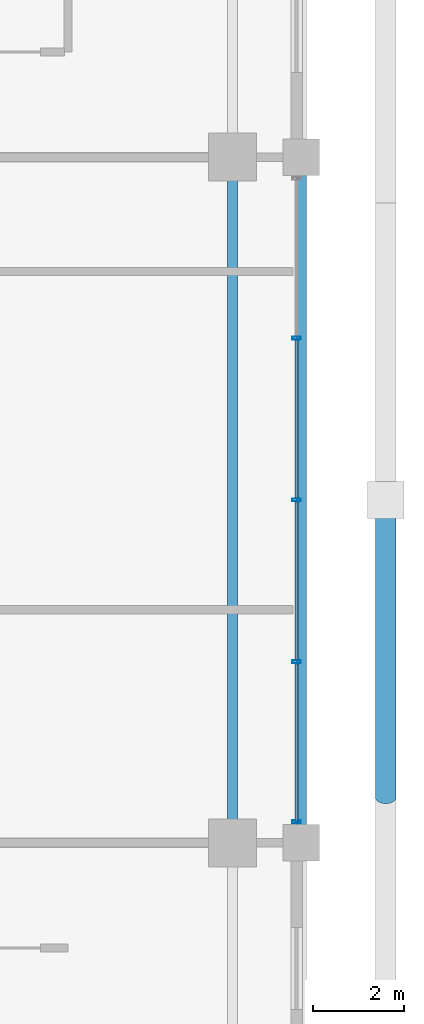
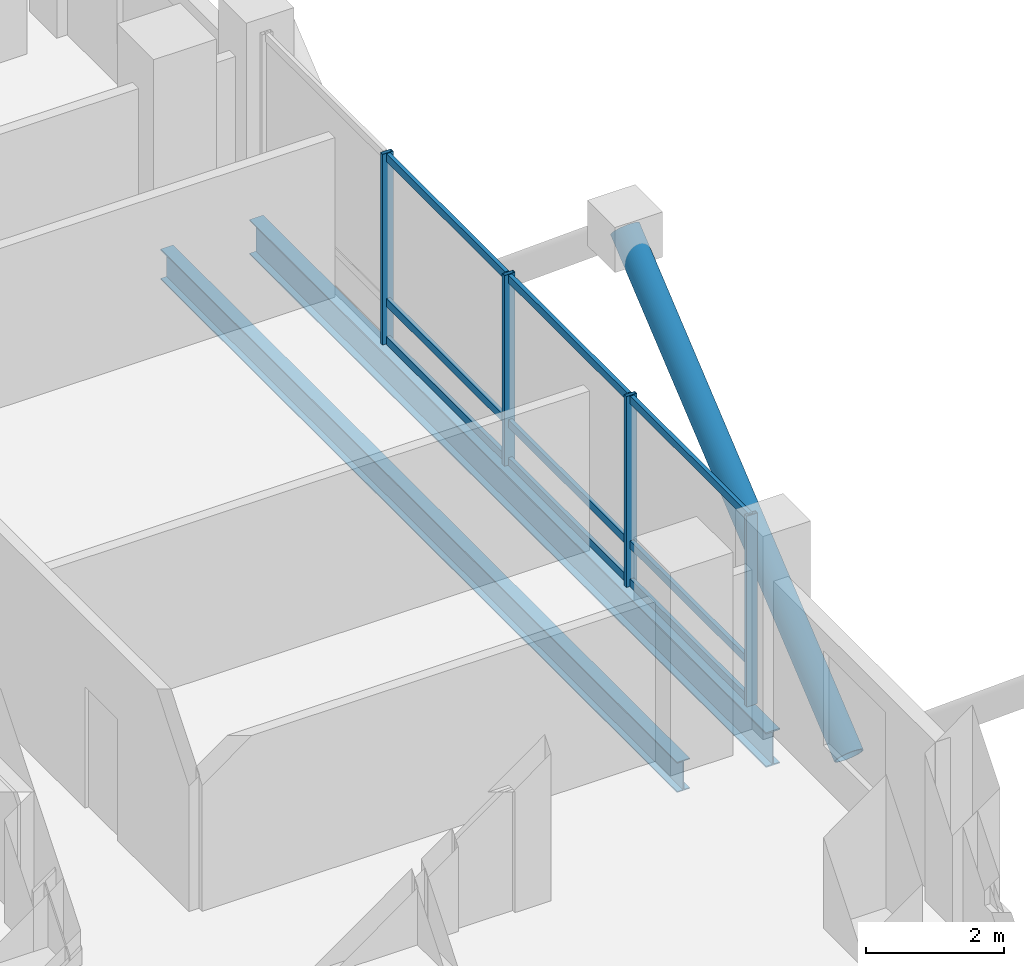
# One storey, part 10 of 23: 14 members, 2 beams, 1 element without a shape of its own.
"""IFC4 building model written with IfcOpenShell, lengths in metres."""

from ifc_helpers import new_model, si_unit, direction, frame, origin, origin_2d, place, context, subcontext, project, spatial, hollow_rectangle, hollow_circle, i_section, extrude, material, layer, layer_set, material_profile, profile_set, type_object, element, aggregate, save


model = new_model("IFC4")

# Units and contexts
model_context = context("Model", 3, precision=1e-05, world=origin(), true_north=direction((0.0, 1.0)))
body_context = subcontext(model_context, "Body", "Model", "MODEL_VIEW")
ifc_project = project(units=[si_unit("LENGTHUNIT", "METRE"), si_unit("AREAUNIT", "SQUARE_METRE"), si_unit("VOLUMEUNIT", "CUBIC_METRE"), si_unit("PLANEANGLEUNIT", "RADIAN"), si_unit("MASSUNIT", "GRAM", prefix="KILO")], contexts=[model_context])

# Site, building, storey
site_placement = place(None, origin())
site = spatial("IfcSite", under=ifc_project, at=site_placement, CompositionType="ELEMENT")
building_placement = place(site_placement, origin())
building = spatial("IfcBuilding", under=site, at=building_placement, Name="Barlavira Tower and Art Museum", CompositionType="ELEMENT")
storey_placement = place(building_placement, frame((0.0, 0.0, 205.199951171875)))
storey = spatial("IfcBuildingStorey", under=building, at=storey_placement, Name="L53", CompositionType="ELEMENT", Elevation=205.199951171875)

# Curtain wall, members
ifc_material_1 = material(Name="Low-iron coastal laminated glass", Category="glass")
ifc_layer = layer(ifc_material_1, 0.199951171875, Name="Low-iron coastal laminated glass")
ifc_layer_set = layer_set([ifc_layer], Name="Low-iron coastal laminated glass")
curtain_wall_type = type_object("IfcCurtainWallType", Name="Pale-Metal Unitised Curtain Wall Zone 3", PredefinedType="NOTDEFINED", material=ifc_layer_set)
curtain_wall_placement = place(storey_placement, origin())
curtain_wall = element("IfcCurtainWall", 1, at=curtain_wall_placement, inside=storey, type_object=curtain_wall_type, Name="L53 Curtain Wall CW3-L53-E-B3", PredefinedType="NOTDEFINED")
ifc_material_2 = material(Name="Pale anodised aluminium", Category="aluminium")
ifc_material_profile_1 = material_profile(ifc_material_2, hollow_rectangle(XDim=0.06494140625, YDim=0.179931640625, WallThickness=0.00390625, at=origin_2d()), Name="ALU-MULL 65x180x4")
ifc_profile_set_1 = profile_set([ifc_material_profile_1], Name="Pale anodised aluminium")
member_type_1 = type_object("IfcMemberType", Name="Curtain Wall Pale-Metal Mullion 65x180", PredefinedType="MULLION", material=ifc_profile_set_1)
member_1_placement = place(storey_placement, frame((18.39990234375, -7.034912109375, 0.0), z_axis=(0.0, 0.0, 1.0), x_axis=(0.0, 1.0, 0.0)))
member_1 = element("IfcMember", 2, at=member_1_placement, type_object=member_type_1, Name="CW3-L53-E-B3 Mullion 0", PredefinedType="MULLION", context=body_context, shape_type="SweptSolid", body=[
    extrude(hollow_rectangle(XDim=0.06494140625, YDim=0.179931640625, WallThickness=0.00390625, at=origin_2d()), origin(), (0.0, 0.0, 1.0), 3.380126953125),
])
member_2_placement = place(storey_placement, frame((18.39990234375, -3.5400390625, 0.0), z_axis=(0.0, 0.0, 1.0), x_axis=(0.0, 1.0, 0.0)))
member_2 = element("IfcMember", 3, at=member_2_placement, type_object=member_type_1, Name="CW3-L53-E-B3 Mullion 1", PredefinedType="MULLION", context=body_context, shape_type="SweptSolid", body=[
    extrude(hollow_rectangle(XDim=0.06494140625, YDim=0.179931640625, WallThickness=0.00390625, at=origin_2d()), origin(), (0.0, 0.0, 1.0), 3.380126953125),
])
member_3_placement = place(storey_placement, frame((18.39990234375, 0.0, 0.0), z_axis=(0.0, 0.0, 1.0), x_axis=(0.0, 1.0, 0.0)))
member_3 = element("IfcMember", 4, at=member_3_placement, type_object=member_type_1, Name="CW3-L53-E-B3 Mullion 2", PredefinedType="MULLION", context=body_context, shape_type="SweptSolid", body=[
    extrude(hollow_rectangle(XDim=0.06494140625, YDim=0.179931640625, WallThickness=0.00390625, at=origin_2d()), origin(), (0.0, 0.0, 1.0), 3.380126953125),
])
member_4_placement = place(storey_placement, frame((18.39990234375, 3.5400390625, 0.0), z_axis=(0.0, 0.0, 1.0), x_axis=(0.0, 1.0, 0.0)))
member_4 = element("IfcMember", 5, at=member_4_placement, type_object=member_type_1, Name="CW3-L53-E-B3 Mullion 3", PredefinedType="MULLION", context=body_context, shape_type="SweptSolid", body=[
    extrude(hollow_rectangle(XDim=0.06494140625, YDim=0.179931640625, WallThickness=0.00390625, at=origin_2d()), origin(), (0.0, 0.0, 1.0), 3.380126953125),
])
ifc_material_profile_2 = material_profile(ifc_material_2, hollow_rectangle(XDim=0.06494140625, YDim=0.139892578125, WallThickness=0.00390625, at=origin_2d()), Name="ALU-TRAN 65x140x4")
ifc_profile_set_2 = profile_set([ifc_material_profile_2], Name="Pale anodised aluminium")
member_type_2 = type_object("IfcMemberType", Name="Curtain Wall Pale-Metal Transom 65x140", PredefinedType="USERDEFINED", material=ifc_profile_set_2)
member_5_placement = place(storey_placement, frame((18.39990234375, -7.034912109375, 0.070068359375), z_axis=(0.0, 1.0, 0.0), x_axis=(-1.0, 0.0, 0.0)))
member_5 = element("IfcMember", 6, at=member_5_placement, type_object=member_type_2, Name="CW3-L53-E-B3 Transom 0.1", ObjectType="TRANSOM", PredefinedType="USERDEFINED", context=body_context, shape_type="SweptSolid", body=[
    extrude(hollow_rectangle(XDim=0.06494140625, YDim=0.139892578125, WallThickness=0.00390625, at=origin_2d()), origin(), (0.0, 0.0, 1.0), 3.449951171875),
])
member_6_placement = place(storey_placement, frame((18.39990234375, -7.034912109375, 0.744140625), z_axis=(0.0, 1.0, 0.0), x_axis=(-1.0, 0.0, 0.0)))
member_6 = element("IfcMember", 7, at=member_6_placement, type_object=member_type_2, Name="CW3-L53-E-B3 Transom 0.2", ObjectType="TRANSOM", PredefinedType="USERDEFINED", context=body_context, shape_type="SweptSolid", body=[
    extrude(hollow_rectangle(XDim=0.06494140625, YDim=0.139892578125, WallThickness=0.00390625, at=origin_2d()), origin(), (0.0, 0.0, 1.0), 3.449951171875),
])
member_7_placement = place(storey_placement, frame((18.39990234375, -7.034912109375, 3.31005859375), z_axis=(0.0, 1.0, 0.0), x_axis=(-1.0, 0.0, 0.0)))
member_7 = element("IfcMember", 8, at=member_7_placement, type_object=member_type_2, Name="CW3-L53-E-B3 Transom 0.3", ObjectType="TRANSOM", PredefinedType="USERDEFINED", context=body_context, shape_type="SweptSolid", body=[
    extrude(hollow_rectangle(XDim=0.06494140625, YDim=0.139892578125, WallThickness=0.00390625, at=origin_2d()), origin(), (0.0, 0.0, 1.0), 3.449951171875),
])
member_8_placement = place(storey_placement, frame((18.39990234375, -3.4951171875, 0.070068359375), z_axis=(0.0, 1.0, 0.0), x_axis=(-1.0, 0.0, 0.0)))
member_8 = element("IfcMember", 9, at=member_8_placement, type_object=member_type_2, Name="CW3-L53-E-B3 Transom 1.1", ObjectType="TRANSOM", PredefinedType="USERDEFINED", context=body_context, shape_type="SweptSolid", body=[
    extrude(hollow_rectangle(XDim=0.06494140625, YDim=0.139892578125, WallThickness=0.00390625, at=origin_2d()), origin(), (0.0, 0.0, 1.0), 3.4501953125),
])
member_9_placement = place(storey_placement, frame((18.39990234375, -3.4951171875, 0.744140625), z_axis=(0.0, 1.0, 0.0), x_axis=(-1.0, 0.0, 0.0)))
member_9 = element("IfcMember", 10, at=member_9_placement, type_object=member_type_2, Name="CW3-L53-E-B3 Transom 1.2", ObjectType="TRANSOM", PredefinedType="USERDEFINED", context=body_context, shape_type="SweptSolid", body=[
    extrude(hollow_rectangle(XDim=0.06494140625, YDim=0.139892578125, WallThickness=0.00390625, at=origin_2d()), origin(), (0.0, 0.0, 1.0), 3.4501953125),
])
member_10_placement = place(storey_placement, frame((18.39990234375, -3.4951171875, 3.31005859375), z_axis=(0.0, 1.0, 0.0), x_axis=(-1.0, 0.0, 0.0)))
member_10 = element("IfcMember", 11, at=member_10_placement, type_object=member_type_2, Name="CW3-L53-E-B3 Transom 1.3", ObjectType="TRANSOM", PredefinedType="USERDEFINED", context=body_context, shape_type="SweptSolid", body=[
    extrude(hollow_rectangle(XDim=0.06494140625, YDim=0.139892578125, WallThickness=0.00390625, at=origin_2d()), origin(), (0.0, 0.0, 1.0), 3.4501953125),
])
member_11_placement = place(storey_placement, frame((18.39990234375, 0.044921875, 0.070068359375), z_axis=(0.0, 1.0, 0.0), x_axis=(-1.0, 0.0, 0.0)))
member_11 = element("IfcMember", 12, at=member_11_placement, type_object=member_type_2, Name="CW3-L53-E-B3 Transom 2.1", ObjectType="TRANSOM", PredefinedType="USERDEFINED", context=body_context, shape_type="SweptSolid", body=[
    extrude(hollow_rectangle(XDim=0.06494140625, YDim=0.139892578125, WallThickness=0.00390625, at=origin_2d()), origin(), (0.0, 0.0, 1.0), 3.4501953125),
])
member_12_placement = place(storey_placement, frame((18.39990234375, 0.044921875, 0.744140625), z_axis=(0.0, 1.0, 0.0), x_axis=(-1.0, 0.0, 0.0)))
member_12 = element("IfcMember", 13, at=member_12_placement, type_object=member_type_2, Name="CW3-L53-E-B3 Transom 2.2", ObjectType="TRANSOM", PredefinedType="USERDEFINED", context=body_context, shape_type="SweptSolid", body=[
    extrude(hollow_rectangle(XDim=0.06494140625, YDim=0.139892578125, WallThickness=0.00390625, at=origin_2d()), origin(), (0.0, 0.0, 1.0), 3.4501953125),
])
member_13_placement = place(storey_placement, frame((18.39990234375, 0.044921875, 3.31005859375), z_axis=(0.0, 1.0, 0.0), x_axis=(-1.0, 0.0, 0.0)))
member_13 = element("IfcMember", 14, at=member_13_placement, type_object=member_type_2, Name="CW3-L53-E-B3 Transom 2.3", ObjectType="TRANSOM", PredefinedType="USERDEFINED", context=body_context, shape_type="SweptSolid", body=[
    extrude(hollow_rectangle(XDim=0.06494140625, YDim=0.139892578125, WallThickness=0.00390625, at=origin_2d()), origin(), (0.0, 0.0, 1.0), 3.4501953125),
])
aggregate(curtain_wall, [member_1, member_2, member_3, member_4, member_5, member_6, member_7, member_8, member_9, member_10, member_11, member_12, member_13])

# Member
ifc_material_3 = material(Name="Steel S355", Category="steel")
ifc_material_profile_3 = material_profile(ifc_material_3, hollow_circle(Radius=0.228515625, WallThickness=0.02001953125, at=origin_2d()), Name="CHS 457.0x20.0")
ifc_profile_set_3 = profile_set([ifc_material_profile_3], Name="Steel S355")
member_type_3 = type_object("IfcMemberType", Name="Pale-Metal Exoskeleton Diagrid Tube CHS 457x20 Steel S355", PredefinedType="BRACE", material=ifc_profile_set_3)
member_14_placement = place(storey_placement, frame((20.35009765625, -6.5, -1.919921875), z_axis=(0.0, 0.769196053329, 0.639012857104), x_axis=(-1.0, 0.0, 0.0)))
element("IfcMember", 15, at=member_14_placement, inside=storey, type_object=member_type_3, Name="L53 Exoskeleton Diagrid Tube E", PredefinedType="BRACE", context=body_context, shape_type="SweptSolid", body=[
    extrude(hollow_circle(Radius=0.228515625, WallThickness=0.02001953125, at=origin_2d()), origin(), (0.0, 0.0, 1.0), 8.450439453125),
])

# Beams
ifc_material_profile_4 = material_profile(ifc_material_3, i_section(OverallWidth=0.22998046875, OverallDepth=0.616943359375, WebThickness=0.01318359375, FlangeThickness=0.022216796875, at=origin_2d()), Name="W610x140.0")
ifc_profile_set_4 = profile_set([ifc_material_profile_4], Name="Steel S355")
beam_type_1 = type_object("IfcBeamType", Name="Upper Shaft Spandrel Edge Beam W610x140 Steel S355", PredefinedType="SPANDREL", material=ifc_profile_set_4)
beam_1_placement = place(storey_placement, frame((18.5, -7.5, -0.528564453125), z_axis=(0.0, 1.0, 0.0), x_axis=(-1.0, 0.0, 0.0)))
element("IfcBeam", 16, at=beam_1_placement, inside=storey, type_object=beam_type_1, Name="L53 Spandrel 6", PredefinedType="SPANDREL", context=body_context, shape_type="SweptSolid", body=[
    extrude(i_section(OverallWidth=0.22998046875, OverallDepth=0.616943359375, WebThickness=0.01318359375, FlangeThickness=0.022216796875, at=origin_2d()), origin(), (0.0, 0.0, 1.0), 15.0),
])
ifc_material_profile_5 = material_profile(ifc_material_3, i_section(OverallWidth=0.2109375, OverallDepth=0.5390625, WebThickness=0.01171875, FlangeThickness=0.018798828125, at=origin_2d()), Name="W530x109.0")
ifc_profile_set_5 = profile_set([ifc_material_profile_5], Name="Steel S355")
beam_type_2 = type_object("IfcBeamType", Name="Zone 3-4 Primary Floor Girder W530x109 Steel S355", PredefinedType="BEAM", material=ifc_profile_set_5)
beam_2_placement = place(storey_placement, frame((17.0, -7.5, -0.489501953125), z_axis=(0.0, 1.0, 0.0), x_axis=(-1.0, 0.0, 0.0)))
element("IfcBeam", 17, at=beam_2_placement, inside=storey, type_object=beam_type_2, Name="L53 Girder M-E2", PredefinedType="BEAM", context=body_context, shape_type="SweptSolid", body=[
    extrude(i_section(OverallWidth=0.2109375, OverallDepth=0.5390625, WebThickness=0.01171875, FlangeThickness=0.018798828125, at=origin_2d()), origin(), (0.0, 0.0, 1.0), 15.0),
])

save(model, "model.ifc")
